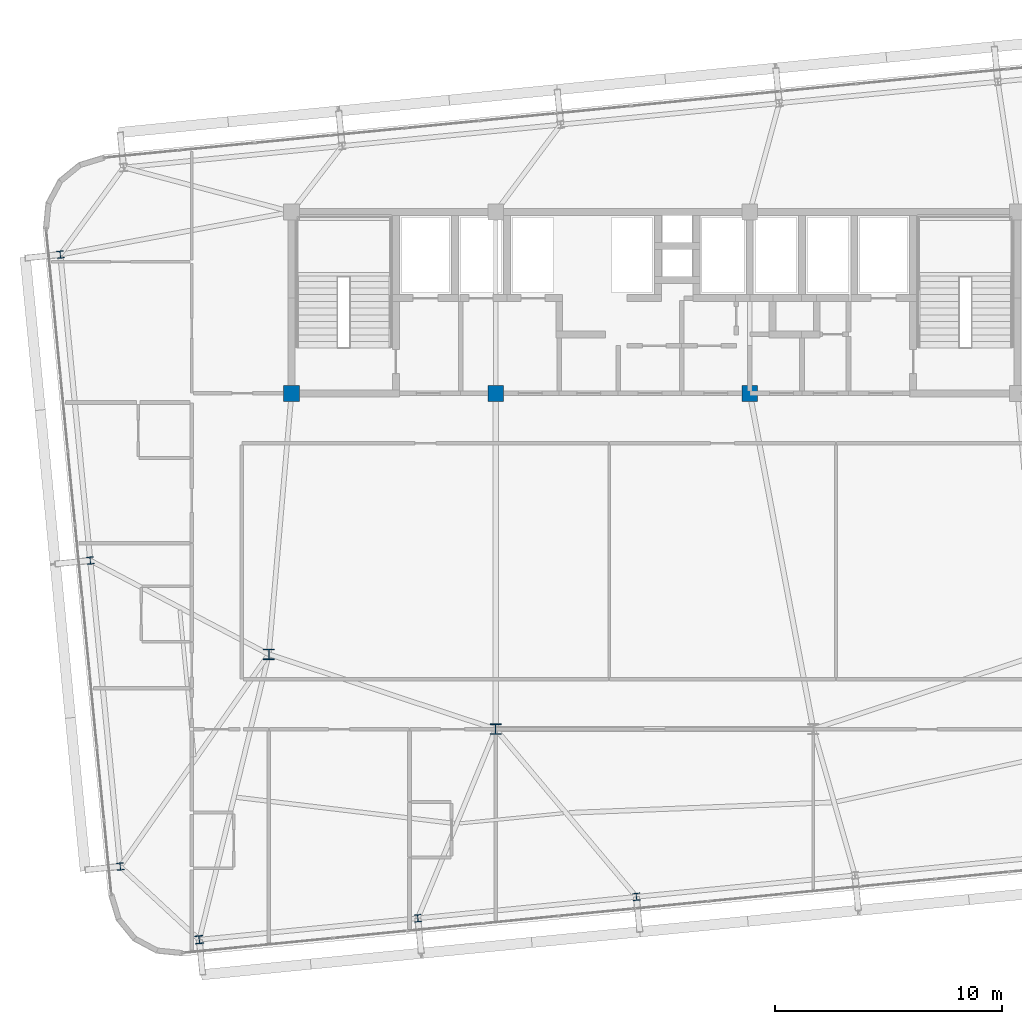
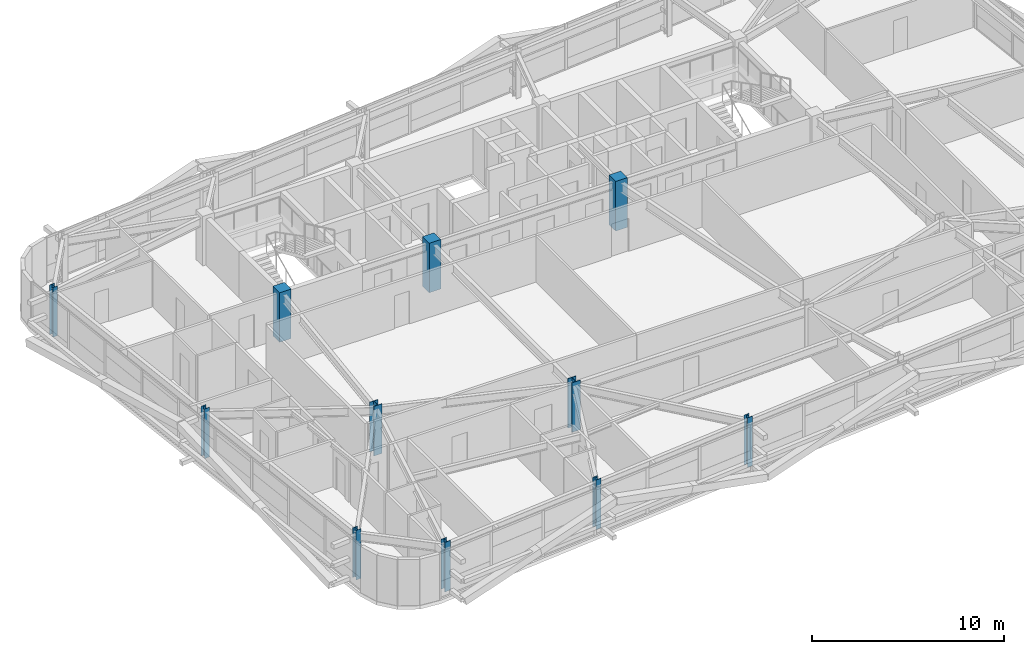
# One storey, part 1 of 53: 11 columns.
"""IFC4 building model written with IfcOpenShell, lengths in metres."""

from ifc_helpers import new_model, si_unit, direction, frame, origin, origin_2d, place, context, subcontext, project, spatial, rectangle, i_section, extrude, source, transform, mapped, material, material_profile, profile_set, type_object, element, save


model = new_model("IFC4")

# Units and contexts
model_context = context("Model", 3, precision=1e-05, world=origin(), true_north=direction((0.0, 1.0)))
body_context = subcontext(model_context, "Body", "Model", "MODEL_VIEW")
ifc_project = project(units=[si_unit("LENGTHUNIT", "METRE"), si_unit("AREAUNIT", "SQUARE_METRE"), si_unit("VOLUMEUNIT", "CUBIC_METRE"), si_unit("PLANEANGLEUNIT", "RADIAN"), si_unit("MASSUNIT", "GRAM", prefix="KILO")], contexts=[model_context])

# Site, building, storey
site_placement = place(None, origin())
site = spatial("IfcSite", under=ifc_project, at=site_placement, CompositionType="ELEMENT")
building_placement = place(site_placement, origin())
building = spatial("IfcBuilding", under=site, at=building_placement, Name="Taldren Reach Tower", CompositionType="ELEMENT")
storey_placement = place(building_placement, frame((0.0, 0.0, 80.85009765625)))
storey = spatial("IfcBuildingStorey", under=building, at=storey_placement, Name="L24", CompositionType="ELEMENT", Elevation=80.85009765625)

# Columns
ifc_material_1 = material(Name="Steel Gr 350 (350PLUS)", Category="steel")
ifc_material_profile_1 = material_profile(ifc_material_1, i_section(OverallWidth=0.5, OverallDepth=0.464111328125, WebThickness=0.02197265625, FlangeThickness=0.033935546875, at=origin_2d()), Name="500WC340")
ifc_profile_set_1 = profile_set([ifc_material_profile_1], Name="Steel Gr 350 (350PLUS)")
column_type_1 = type_object("IfcColumnType", Name="COL-WC500B", PredefinedType="COLUMN", material=ifc_profile_set_1)
shared_shape_1 = source(origin(), body_context, "Body", "SweptSolid", [
    extrude(i_section(OverallWidth=0.5, OverallDepth=0.464111328125, WebThickness=0.02197265625, FlangeThickness=0.033935546875, at=origin_2d()), origin(), (0.0, 0.0, 1.0), 3.14990234375),
])
for number, where, z_axis, x_axis, name in (
    (1, (28.0, 9.199951171875, 0.0), (0.0, 0.0, 1.0), (1.0, 0.0, 0.0), "Mega column MC-PJW L24"),
    (2, (18.0, 12.5, 0.0), (0.0, 0.0, 1.0), (1.0, 0.0, 0.0), "Mega column MC-SW L24"),
):
    element("IfcColumn", number, at=place(storey_placement, frame(where, z_axis=z_axis, x_axis=x_axis)), inside=storey, type_object=column_type_1, Name=name, PredefinedType="COLUMN", context=body_context, shape_type="MappedRepresentation", body=[
        mapped(shared_shape_1, transform((0.0, 0.0, 0.0), scale=1.0)),
    ])
ifc_material_2 = material(Name="Concrete S65 (65 MPa)", Category="concrete")
ifc_material_profile_2 = material_profile(ifc_material_2, rectangle(XDim=0.699951171875, YDim=0.699951171875, at=origin_2d()), Name="RC-700x700")
ifc_profile_set_2 = profile_set([ifc_material_profile_2], Name="Concrete S65 (65 MPa)")
column_type_2 = type_object("IfcColumnType", Name="COL-RC700", PredefinedType="COLUMN", material=ifc_profile_set_2)
shared_shape_2 = source(origin(), body_context, "Body", "SweptSolid", [
    extrude(rectangle(XDim=0.699951171875, YDim=0.699951171875, at=origin_2d()), origin(), (0.0, 0.0, 1.0), 3.14990234375),
])
for number, where, z_axis, x_axis, name in (
    (3, (19.0, 24.0, 0.0), (0.0, 0.0, 1.0), (1.0, 0.0, 0.0), "Mega column MC-C1 L24"),
    (4, (28.0, 24.0, 0.0), (0.0, 0.0, 1.0), (1.0, 0.0, 0.0), "Mega column MC-C2 L24"),
    (5, (39.199951171875, 24.0, 0.0), (0.0, 0.0, 1.0), (1.0, 0.0, 0.0), "Mega column MC-C3 L24"),
):
    element("IfcColumn", number, at=place(storey_placement, frame(where, z_axis=z_axis, x_axis=x_axis)), inside=storey, type_object=column_type_2, Name=name, PredefinedType="COLUMN", context=body_context, shape_type="MappedRepresentation", body=[
        mapped(shared_shape_2, transform((0.0, 0.0, 0.0), scale=1.0)),
    ])
ifc_material_profile_3 = material_profile(ifc_material_1, i_section(OverallWidth=0.35009765625, OverallDepth=0.35595703125, WebThickness=0.01806640625, FlangeThickness=0.028076171875, at=origin_2d()), Name="350WC197")
ifc_profile_set_3 = profile_set([ifc_material_profile_3], Name="Steel Gr 350 (350PLUS)")
column_type_3 = type_object("IfcColumnType", Name="COL-WC350", PredefinedType="COLUMN", material=ifc_profile_set_3)
shared_shape_3 = source(origin(), body_context, "Body", "SweptSolid", [
    extrude(i_section(OverallWidth=0.35009765625, OverallDepth=0.35595703125, WebThickness=0.01806640625, FlangeThickness=0.028076171875, at=origin_2d()), origin(), (0.0, 0.0, 1.0), 3.14990234375),
])
column_placement = place(storey_placement, frame((14.93408203125, -0.079833984375, 0.0), z_axis=(0.0, 0.0, 1.0), x_axis=(0.995227399982, 0.097582899759, 0.0)))
element("IfcColumn", 6, at=column_placement, inside=storey, type_object=column_type_3, Name="Block B2 perimeter column S1 L24", PredefinedType="COLUMN", context=body_context, shape_type="MappedRepresentation", body=[
    mapped(shared_shape_3, transform((0.0, 0.0, 0.0), scale=1.0)),
])
ifc_material_profile_4 = material_profile(ifc_material_1, i_section(OverallWidth=0.306884765625, OverallDepth=0.31494140625, WebThickness=0.011962890625, FlangeThickness=0.018798828125, at=origin_2d()), Name="310UC118")
ifc_profile_set_4 = profile_set([ifc_material_profile_4], Name="Steel Gr 350 (350PLUS)")
column_type_4 = type_object("IfcColumnType", Name="COL-UC310B", PredefinedType="COLUMN", material=ifc_profile_set_4)
shared_shape_4 = source(origin(), body_context, "Body", "SweptSolid", [
    extrude(i_section(OverallWidth=0.306884765625, OverallDepth=0.31494140625, WebThickness=0.011962890625, FlangeThickness=0.018798828125, at=origin_2d()), origin(), (0.0, 0.0, 1.0), 3.14990234375),
])
for number, where, z_axis, x_axis, name in (
    (7, (24.56787109375, 0.86474609375, 0.0), (0.0, 0.0, 1.0), (0.995227399982, 0.097582899759, 0.0), "Block B2 perimeter column S2 L24"),
    (8, (34.20166015625, 1.809326171875, 0.0), (0.0, 0.0, 1.0), (0.995227399982, 0.097582899759, 0.0), "Block B2 perimeter column S3 L24"),
    (9, (11.452880859375, 3.145751953125, 0.0), (0.0, 0.0, 1.0), (0.995227399982, 0.097582899759, 0.0), "Block B2 perimeter column W1 L24"),
    (10, (10.130615234375, 16.631103515625, 0.0), (0.0, 0.0, 1.0), (0.995227399982, 0.097582899759, 0.0), "Block B2 perimeter column W2 L24"),
    (11, (8.808349609375, 30.116455078125, 0.0), (0.0, 0.0, 1.0), (0.995227399982, 0.097582899759, 0.0), "Block B2 perimeter column W3 L24"),
):
    element("IfcColumn", number, at=place(storey_placement, frame(where, z_axis=z_axis, x_axis=x_axis)), inside=storey, type_object=column_type_4, Name=name, PredefinedType="COLUMN", context=body_context, shape_type="MappedRepresentation", body=[
        mapped(shared_shape_4, transform((0.0, 0.0, 0.0), scale=1.0)),
    ])

save(model, "model.ifc")
